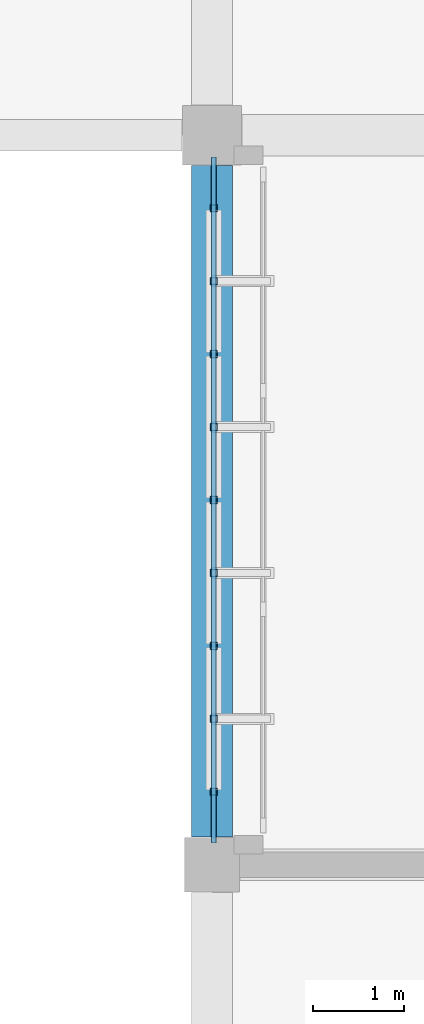
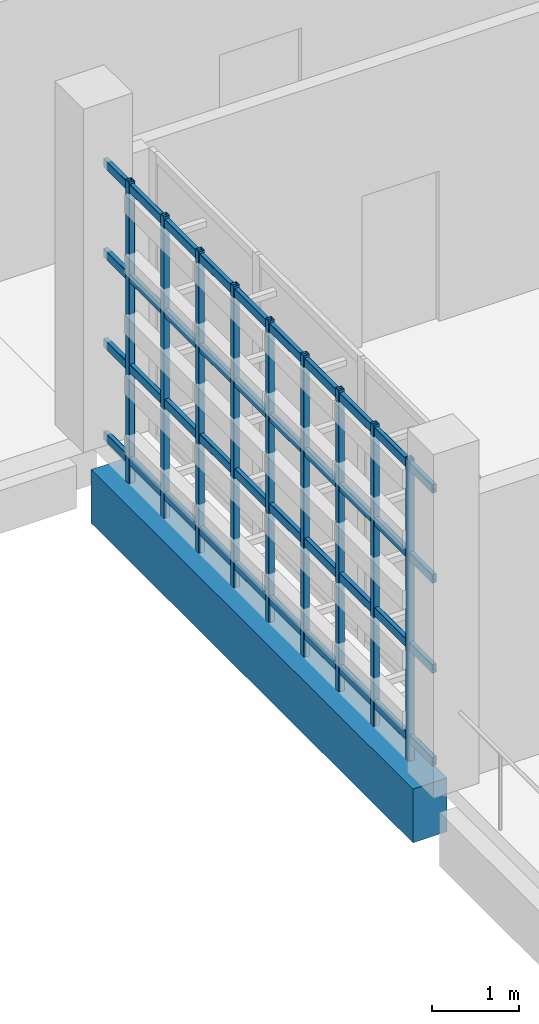
# One storey, part 21 of 106: 13 members, 1 beam.
"""IFC4 building model written with IfcOpenShell, lengths in metres."""

import ifcopenshell
import ifcopenshell.guid

model = None  # the IFC model being written
_history = None  # IfcOwnerHistory: only IFC2X3 demands one
_inside = {}  # id of a spatial element -> (the spatial element, [elements in it])
_under = {}  # id of a project, library or spatial element -> (it, [spatial elements below it])
_declared = {}  # id of a project -> (the project, [libraries it declares])
_typed = {}  # id of a type object -> (the type object, [elements of that type])
_made_of = {}  # id of a material, layer set ... -> (it, [elements and type objects made of it])


def new_model(schema):
    """Start an empty IFC model of exactly this schema.

    Asked for "IFC4X3", IfcOpenShell would pick the latest addendum, in which some entities
    have other attributes; the version numbers below select the first issue.
    IFC2X3 requires an IfcOwnerHistory on every rooted entity: one is made here for all.
    """
    global model, _history
    if schema == "IFC4X3":
        model = ifcopenshell.file(schema_version=(4, 3, 0, 0))
    else:
        model = ifcopenshell.file(schema=schema)
    _inside.clear()
    _under.clear()
    _declared.clear()
    _typed.clear()
    _made_of.clear()
    _history = None
    if model.schema == "IFC2X3":
        org = make("IfcOrganization", Name="unknown")
        user = make(
            "IfcPersonAndOrganization",
            ThePerson=make("IfcPerson", FamilyName="unknown"),
            TheOrganization=org,
        )
        app = make(
            "IfcApplication",
            ApplicationDeveloper=org,
            Version="unknown",
            ApplicationFullName="unknown",
            ApplicationIdentifier="unknown",
        )
        _history = make(
            "IfcOwnerHistory",
            OwningUser=user,
            OwningApplication=app,
            ChangeAction="ADDED",
            CreationDate=0,
        )
    return model


def make(cls, **values):
    """One entity of the class cls with the attributes given. An attribute that is None is left unset."""
    return model.create_entity(
        cls, **{name: value for name, value in values.items() if value is not None}
    )


def rooted(cls, **values):
    """An entity with a GlobalId (a new one), such as an element, a storey or a relation."""
    return make(cls, GlobalId=ifcopenshell.guid.new(), OwnerHistory=_history, **values)


def si_unit(unit_type, name, prefix=None):
    """IfcSIUnit, for example si_unit("LENGTHUNIT", "METRE", prefix="MILLI")."""
    return make("IfcSIUnit", UnitType=unit_type, Prefix=prefix, Name=name)


def assignment(units):
    """IfcUnitAssignment: the units of a project."""
    return None if units is None else make("IfcUnitAssignment", Units=units)


def point(xyz):
    """IfcCartesianPoint."""
    return None if xyz is None else make("IfcCartesianPoint", Coordinates=xyz)


def direction(xyz):
    """IfcDirection."""
    return None if xyz is None else make("IfcDirection", DirectionRatios=xyz)


def frame(location, z_axis=None, x_axis=None):
    """IfcAxis2Placement3D, a coordinate frame: its origin and axes. An axis left out is left unset."""
    return make(
        "IfcAxis2Placement3D",
        Location=point(location),
        Axis=direction(z_axis),
        RefDirection=direction(x_axis),
    )


def frame_2d(location, x_axis=None):
    """IfcAxis2Placement2D, a coordinate frame in the plane: its origin and x axis."""
    return make(
        "IfcAxis2Placement2D", Location=point(location), RefDirection=direction(x_axis)
    )


def origin():
    """The frame at (0, 0, 0) with its axes left unset."""
    return frame((0.0, 0.0, 0.0))


def origin_2d():
    """The frame at (0, 0) in the plane with its x axis left unset."""
    return frame_2d((0.0, 0.0))


def place(relative_to, where):
    """IfcLocalPlacement: puts the frame where relative to a parent placement (None: the world)."""
    return make(
        "IfcLocalPlacement", PlacementRelTo=relative_to, RelativePlacement=where
    )


def context(
    kind, dimensions, precision=None, world=None, true_north=None, identifier=None
):
    """IfcGeometricRepresentationContext, for example the 3D "Model" context."""
    return make(
        "IfcGeometricRepresentationContext",
        ContextIdentifier=identifier,
        ContextType=kind,
        CoordinateSpaceDimension=dimensions,
        Precision=precision,
        WorldCoordinateSystem=world,
        TrueNorth=true_north,
    )


def subcontext(parent, identifier, kind, view, scale=None):
    """IfcGeometricRepresentationSubContext, for example "Body" below "Model"."""
    return make(
        "IfcGeometricRepresentationSubContext",
        ContextIdentifier=identifier,
        ContextType=kind,
        ParentContext=parent,
        TargetScale=scale,
        TargetView=view,
    )


def project(units=None, contexts=None):
    """IfcProject with its units and contexts."""
    return rooted(
        "IfcProject",
        Name="project",
        RepresentationContexts=contexts,
        UnitsInContext=assignment(units),
    )


def spatial(cls, under=None, at=None, **own):
    """A site, building, storey or space (cls), placed at a placement, below another one or the project."""
    s = rooted(cls, ObjectPlacement=at, **own)
    if under is not None:
        _under.setdefault(under.id(), (under, []))[1].append(s)
    return s


def profile(cls, at=None, kind="AREA", **sizes):
    """A parametric profile (cls). Its sizes go by their IFC names, for example OverallWidth=200.0."""
    return make(cls, ProfileType=kind, Position=at, **sizes)


def rectangle(**sizes):
    """IfcRectangleProfileDef."""
    return profile("IfcRectangleProfileDef", **sizes)


def hollow_rectangle(**sizes):
    """IfcRectangleHollowProfileDef."""
    return profile("IfcRectangleHollowProfileDef", **sizes)


def extrude(swept, where, along, depth):
    """IfcExtrudedAreaSolid: the profile swept, set in the frame where, extruded along a direction by depth."""
    return make(
        "IfcExtrudedAreaSolid",
        SweptArea=swept,
        Position=where,
        ExtrudedDirection=direction(along),
        Depth=depth,
    )


def shape(context_of_items, identifier, shape_type, items):
    """IfcShapeRepresentation: the items that make up one representation, for example the "Body"."""
    return make(
        "IfcShapeRepresentation",
        ContextOfItems=context_of_items,
        RepresentationIdentifier=identifier,
        RepresentationType=shape_type,
        Items=items,
    )


def material(Name=None, Category=None):
    """IfcMaterial."""
    return make("IfcMaterial", Name=Name, Category=Category)


def material_profile(
    of_material, cross_section, Name=None, Category=None, Priority=None
):
    """IfcMaterialProfile: a cross section and its material."""
    return make(
        "IfcMaterialProfile",
        Name=Name,
        Material=of_material,
        Profile=cross_section,
        Priority=Priority,
        Category=Category,
    )


def profile_set(profiles, Name=None, composite=None):
    """IfcMaterialProfileSet."""
    return make(
        "IfcMaterialProfileSet",
        Name=Name,
        MaterialProfiles=profiles,
        CompositeProfile=composite,
    )


def made_of(thing, what):
    """Note that an element or type object is made of a material, layer set ...; save() writes the relation."""
    if what is not None:
        _made_of.setdefault(what.id(), (what, []))[1].append(thing)
    return thing


def type_object(cls, material=None, **own):
    """A type object (cls), such as IfcWallType, which elements share."""
    return made_of(rooted(cls, **own), material)


def element(
    cls,
    number,
    at=None,
    inside=None,
    cuts=None,
    type_object=None,
    material=None,
    context=None,
    identifier="Body",
    shape_type=None,
    held_by="IfcProductDefinitionShape",
    body=None,
    shapes=None,
    **own,
):
    """One element of the class cls, such as IfcWall. Its Tag is "e" and its number.

    at: its placement. inside: the storey or other place that contains it. cuts: it is an
    opening in that element (IfcRelVoidsElement). A single representation is given by context,
    identifier, shape_type and body (its items); several are given by shapes. held_by: the class
    of the entity that holds the representations. save() writes the other relations.
    """
    e = rooted(cls, Tag="e%d" % number, ObjectPlacement=at, **own)
    if body is not None:
        shapes = [shape(context, identifier, shape_type, body)]
    if shapes is not None:
        e.Representation = make(held_by, Representations=shapes)
    if inside is not None:
        _inside.setdefault(inside.id(), (inside, []))[1].append(e)
    if cuts is not None:
        rooted(
            "IfcRelVoidsElement", RelatingBuildingElement=cuts, RelatedOpeningElement=e
        )
    if type_object is not None:
        _typed.setdefault(type_object.id(), (type_object, []))[1].append(e)
    return made_of(e, material)


def aggregate(whole, parts):
    """IfcRelAggregates: a whole, such as a stair, and the parts it consists of."""
    return rooted("IfcRelAggregates", RelatingObject=whole, RelatedObjects=parts)


def save(model, path):
    """Write the relations noted so far, then the file.

    IfcRelAggregates (storeys below a building ...), IfcRelContainedInSpatialStructure (elements
    in a storey), IfcRelDefinesByType, IfcRelAssociatesMaterial and IfcRelDeclares: one each for
    every whole, place, type object, material and project.
    """
    for whole, parts in _under.values():
        aggregate(whole, parts)
    for where, things in _inside.values():
        rooted(
            "IfcRelContainedInSpatialStructure",
            RelatedElements=things,
            RelatingStructure=where,
        )
    for kind, things in _typed.values():
        rooted("IfcRelDefinesByType", RelatedObjects=things, RelatingType=kind)
    for what, things in _made_of.values():
        rooted("IfcRelAssociatesMaterial", RelatedObjects=things, RelatingMaterial=what)
    for by, libraries in _declared.values():
        rooted("IfcRelDeclares", RelatingContext=by, RelatedDefinitions=libraries)
    model.write(path)


model = new_model("IFC4")

# Units and contexts
model_context = context("Model", 3, precision=1e-05, world=origin(), true_north=direction((0.0, 1.0)))
body_context = subcontext(model_context, "Body", "Model", "MODEL_VIEW")
ifc_project = project(units=[si_unit("LENGTHUNIT", "METRE"), si_unit("AREAUNIT", "SQUARE_METRE"), si_unit("VOLUMEUNIT", "CUBIC_METRE"), si_unit("PLANEANGLEUNIT", "RADIAN"), si_unit("MASSUNIT", "GRAM", prefix="KILO")], contexts=[model_context])

# Site, building, storey
site_placement = place(None, origin())
site = spatial("IfcSite", under=ifc_project, at=site_placement, CompositionType="ELEMENT")
building_placement = place(site_placement, origin())
building = spatial("IfcBuilding", under=site, at=building_placement, Name="Jelvoka-Kovrelna Polytechnic", CompositionType="ELEMENT")
storey_placement = place(building_placement, frame((0.0, 0.0, 4.800048828125)))
storey = spatial("IfcBuildingStorey", under=building, at=storey_placement, Name="L02", CompositionType="ELEMENT", Elevation=4.800048828125)

# Beam
ifc_material_1 = material(Name="Concrete C40/50", Category="concrete")
ifc_material_profile_1 = material_profile(ifc_material_1, rectangle(XDim=0.449951171875, YDim=0.75, at=origin_2d()), Name="RC 450x750")
ifc_profile_set_1 = profile_set([ifc_material_profile_1], Name="Concrete C40/50")
beam_type = type_object("IfcBeamType", Name="Beam_RC_450x750", PredefinedType="BEAM", material=ifc_profile_set_1)
beam_placement = place(storey_placement, frame((56.0, 8.304931640625, -0.64013671875), z_axis=(0.0, 1.0, 0.0), x_axis=(-1.0, 0.0, 0.0)))
element("IfcBeam", 1, at=beam_placement, inside=storey, type_object=beam_type, Name="L02 beam 0634", PredefinedType="BEAM", context=body_context, shape_type="SweptSolid", body=[
    extrude(rectangle(XDim=0.449951171875, YDim=0.75, at=origin_2d()), origin(), (0.0, 0.0, 1.0), 7.364990234375),
])

# Members
ifc_material_2 = material(Name="Structural steel S355J2H", Category="steel")
ifc_material_profile_2 = material_profile(ifc_material_2, hollow_rectangle(XDim=0.06005859375, YDim=0.1201171875, WallThickness=0.0048828125, InnerFilletRadius=0.0048828125, OuterFilletRadius=0.007568359375, at=origin_2d()), Name="120x60x5.0 RHS")
ifc_profile_set_2 = profile_set([ifc_material_profile_2], Name="Structural steel S355J2H")
member_type_1 = type_object("IfcMemberType", Name="Member_Strut_RHS120", PredefinedType="STRUT", material=ifc_profile_set_2)
for number, where, z_axis, x_axis, name in (
    (2, (56.02001953125, 8.239990234375, 0.079833984375), (0.0, 1.0, 0.0), (-1.0, 0.0, 0.0), "L02 terracotta screen horizontal strut 0014"),
    (3, (56.02001953125, 8.239990234375, 1.375244140625), (0.0, 1.0, 0.0), (-1.0, 0.0, 0.0), "L02 terracotta screen horizontal strut 0015"),
    (4, (56.02001953125, 8.239990234375, 2.632568359375), (0.0, 1.0, 0.0), (-1.0, 0.0, 0.0), "L02 terracotta screen horizontal strut 0016"),
    (5, (56.02001953125, 8.239990234375, 3.889892578125), (0.0, 1.0, 0.0), (-1.0, 0.0, 0.0), "L02 terracotta screen horizontal strut 0017"),
):
    element("IfcMember", number, at=place(storey_placement, frame(where, z_axis=z_axis, x_axis=x_axis)), inside=storey, type_object=member_type_1, Name=name, PredefinedType="STRUT", context=body_context, shape_type="SweptSolid", body=[
        extrude(hollow_rectangle(XDim=0.06005859375, YDim=0.1201171875, WallThickness=0.0048828125, InnerFilletRadius=0.0048828125, OuterFilletRadius=0.007568359375, at=origin_2d()), origin(), (0.0, 0.0, 1.0), 7.52001953125),
    ])
ifc_material_3 = material(Name="Structural steel S355J2H", Category="steel")
ifc_material_profile_3 = material_profile(ifc_material_3, hollow_rectangle(XDim=0.080078125, YDim=0.080078125, WallThickness=0.0048828125, InnerFilletRadius=0.0048828125, OuterFilletRadius=0.007568359375, at=origin_2d()), Name="80x80x5.0 SHS")
ifc_profile_set_3 = profile_set([ifc_material_profile_3], Name="Structural steel S355J2H")
member_type_2 = type_object("IfcMemberType", Name="Member_Strut_SHS80", PredefinedType="STRUT", material=ifc_profile_set_3)
for number, where, z_axis, x_axis, name in (
    (6, (56.02001953125, 8.800048828125, -0.22998046875), (0.0, 0.0, 1.0), (1.0, 0.0, 0.0), "L02 terracotta lattice vertical rib 0018"),
    (7, (56.02001953125, 9.60009765625, -0.22998046875), (0.0, 0.0, 1.0), (1.0, 0.0, 0.0), "L02 terracotta lattice vertical rib 0019"),
    (8, (56.02001953125, 10.39990234375, -0.22998046875), (0.0, 0.0, 1.0), (1.0, 0.0, 0.0), "L02 terracotta lattice vertical rib 0020"),
    (9, (56.02001953125, 11.199951171875, -0.22998046875), (0.0, 0.0, 1.0), (1.0, 0.0, 0.0), "L02 terracotta lattice vertical rib 0021"),
    (10, (56.02001953125, 12.0, -0.22998046875), (0.0, 0.0, 1.0), (1.0, 0.0, 0.0), "L02 terracotta lattice vertical rib 0022"),
    (11, (56.02001953125, 12.800048828125, -0.22998046875), (0.0, 0.0, 1.0), (1.0, 0.0, 0.0), "L02 terracotta lattice vertical rib 0023"),
    (12, (56.02001953125, 13.60009765625, -0.22998046875), (0.0, 0.0, 1.0), (1.0, 0.0, 0.0), "L02 terracotta lattice vertical rib 0024"),
    (13, (56.02001953125, 14.39990234375, -0.22998046875), (0.0, 0.0, 1.0), (1.0, 0.0, 0.0), "L02 terracotta lattice vertical rib 0025"),
    (14, (56.02001953125, 15.199951171875, -0.22998046875), (0.0, 0.0, 1.0), (1.0, 0.0, 0.0), "L02 terracotta lattice vertical rib 0026"),
):
    element("IfcMember", number, at=place(storey_placement, frame(where, z_axis=z_axis, x_axis=x_axis)), inside=storey, type_object=member_type_2, Name=name, PredefinedType="STRUT", context=body_context, shape_type="SweptSolid", body=[
        extrude(hollow_rectangle(XDim=0.080078125, YDim=0.080078125, WallThickness=0.0048828125, InnerFilletRadius=0.0048828125, OuterFilletRadius=0.007568359375, at=origin_2d()), origin(), (0.0, 0.0, 1.0), 4.2099609375),
    ])

save(model, "model.ifc")
